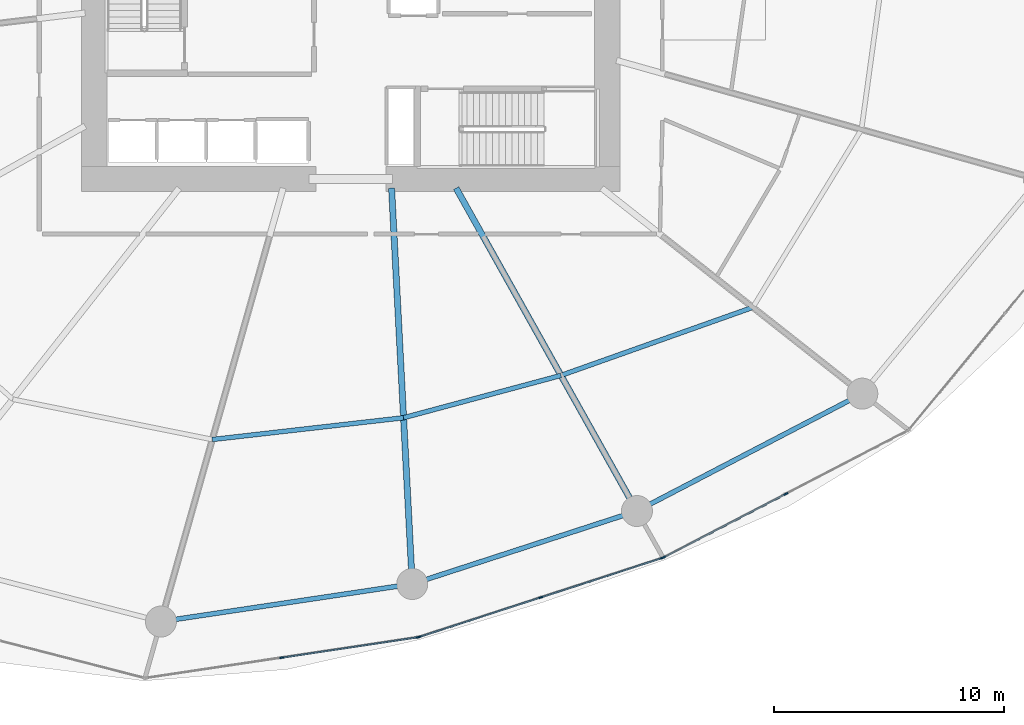
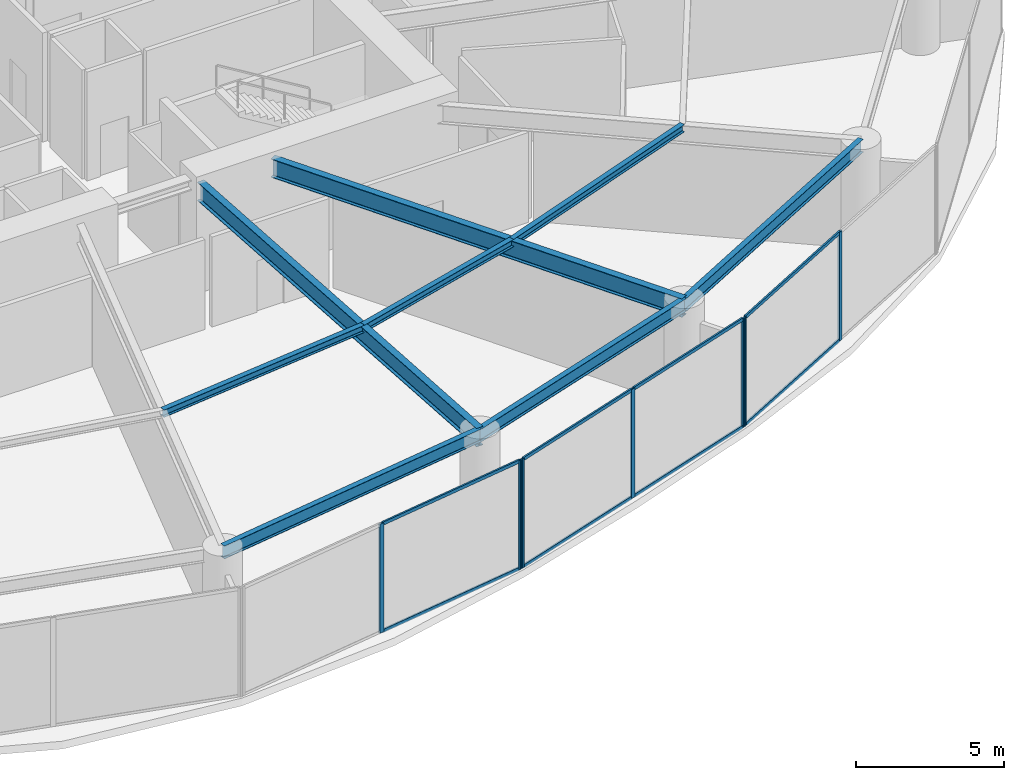
# One storey, part 9 of 22: 15 members, 8 beams, 3 elements without a shape of their own.
"""IFC4 building model written with IfcOpenShell, lengths in metres."""

from ifc_helpers import new_model, si_unit, direction, frame, origin, origin_2d, place, context, subcontext, project, spatial, rectangle, i_section, extrude, material, layer, layer_set, material_profile, profile_set, type_object, element, aggregate, save


model = new_model("IFC4")

# Units and contexts
model_context = context("Model", 3, precision=1e-05, world=origin(), true_north=direction((0.0, 1.0)))
body_context = subcontext(model_context, "Body", "Model", "MODEL_VIEW")
ifc_project = project(units=[si_unit("LENGTHUNIT", "METRE"), si_unit("AREAUNIT", "SQUARE_METRE"), si_unit("VOLUMEUNIT", "CUBIC_METRE"), si_unit("PLANEANGLEUNIT", "RADIAN"), si_unit("MASSUNIT", "GRAM", prefix="KILO")], contexts=[model_context])

# Site, building, storey
site_placement = place(None, origin())
site = spatial("IfcSite", under=ifc_project, at=site_placement, CompositionType="ELEMENT")
building_placement = place(site_placement, origin())
building = spatial("IfcBuilding", under=site, at=building_placement, Name="Kazma Halo Residences", CompositionType="ELEMENT")
storey_placement = place(building_placement, frame((0.0, 0.0, 12.0)))
storey = spatial("IfcBuildingStorey", under=building, at=storey_placement, Name="L02", CompositionType="ELEMENT", Elevation=12.0)

# Beams
ifc_material_1 = material(Name="Steel S355", Category="steel")
ifc_material_profile_1 = material_profile(ifc_material_1, i_section(OverallWidth=0.26708984375, OverallDepth=0.761962890625, WebThickness=0.014404296875, FlangeThickness=0.021484375, FilletRadius=0.02001953125, at=origin_2d()), Name="W760x173")
ifc_profile_set_1 = profile_set([ifc_material_profile_1], Name="Steel S355")
beam_type_1 = type_object("IfcBeamType", Name="BM-POD-W760", PredefinedType="BEAM", material=ifc_profile_set_1)
beam_1_placement = place(storey_placement, frame((50.199951171875, 33.050048828125, 4.09912109375), z_axis=(0.052151471652, -0.998639186095, 0.0), x_axis=(0.998639186095, 0.052151471652, 0.0)))
element("IfcBeam", 1, at=beam_1_placement, inside=storey, type_object=beam_type_1, Name="L02 radial floor beam 12", PredefinedType="BEAM", context=body_context, shape_type="SweptSolid", body=[
    extrude(i_section(OverallWidth=0.26708984375, OverallDepth=0.761962890625, WebThickness=0.014404296875, FlangeThickness=0.021484375, FilletRadius=0.02001953125, at=origin_2d()), origin(), (0.0, 0.0, 1.0), 17.26953125),
])
beam_2_placement = place(storey_placement, frame((53.01220703125, 33.050048828125, 4.09912109375), z_axis=(0.488623198121, -0.872494911308, 0.0), x_axis=(0.872494911308, 0.488623198121, 0.0)))
element("IfcBeam", 2, at=beam_2_placement, inside=storey, type_object=beam_type_1, Name="L02 radial floor beam 13", PredefinedType="BEAM", context=body_context, shape_type="SweptSolid", body=[
    extrude(i_section(OverallWidth=0.26708984375, OverallDepth=0.761962890625, WebThickness=0.014404296875, FlangeThickness=0.021484375, FilletRadius=0.02001953125, at=origin_2d()), origin(), (0.0, 0.0, 1.0), 16.12109375),
])
ifc_material_profile_2 = material_profile(ifc_material_1, i_section(OverallWidth=0.202880859375, OverallDepth=0.302978515625, WebThickness=0.007568359375, FlangeThickness=0.01318359375, FilletRadius=0.013916015625, at=origin_2d()), Name="W310x60")
ifc_profile_set_2 = profile_set([ifc_material_profile_2], Name="Steel S355")
beam_type_2 = type_object("IfcBeamType", Name="BM-SEC-W310A", PredefinedType="JOIST", material=ifc_profile_set_2)
beam_3_placement = place(storey_placement, frame((42.38720703125, 22.098876953125, 4.32861328125), z_axis=(0.993587805197, 0.113063138842, 0.0), x_axis=(-0.113063138842, 0.993587805197, 0.0)))
element("IfcBeam", 3, at=beam_3_placement, inside=storey, type_object=beam_type_2, Name="L02 circumferential floor joist 11", PredefinedType="JOIST", context=body_context, shape_type="SweptSolid", body=[
    extrude(i_section(OverallWidth=0.202880859375, OverallDepth=0.302978515625, WebThickness=0.007568359375, FlangeThickness=0.01318359375, FilletRadius=0.013916015625, at=origin_2d()), origin(), (0.0, 0.0, 1.0), 8.388916015625),
])
beam_4_placement = place(storey_placement, frame((50.722412109375, 23.04736328125, 4.32861328125), z_axis=(0.965678128269, 0.259741703588, 0.0), x_axis=(-0.259741703588, 0.965678128269, 0.0)))
element("IfcBeam", 4, at=beam_4_placement, inside=storey, type_object=beam_type_2, Name="L02 circumferential floor joist 12", PredefinedType="JOIST", context=body_context, shape_type="SweptSolid", body=[
    extrude(i_section(OverallWidth=0.202880859375, OverallDepth=0.302978515625, WebThickness=0.007568359375, FlangeThickness=0.01318359375, FilletRadius=0.013916015625, at=origin_2d()), origin(), (0.0, 0.0, 1.0), 7.10205078125),
])
beam_5_placement = place(storey_placement, frame((57.580810546875, 24.89208984375, 4.32861328125), z_axis=(0.942441737122, 0.334370411567, 0.0), x_axis=(-0.334370411567, 0.942441737122, 0.0)))
element("IfcBeam", 5, at=beam_5_placement, inside=storey, type_object=beam_type_2, Name="L02 circumferential floor joist 13", PredefinedType="JOIST", context=body_context, shape_type="SweptSolid", body=[
    extrude(i_section(OverallWidth=0.202880859375, OverallDepth=0.302978515625, WebThickness=0.007568359375, FlangeThickness=0.01318359375, FilletRadius=0.013916015625, at=origin_2d()), origin(), (0.0, 0.0, 1.0), 8.869140625),
])
ifc_material_profile_3 = material_profile(ifc_material_1, i_section(OverallWidth=0.208984375, OverallDepth=0.532958984375, WebThickness=0.01025390625, FlangeThickness=0.015625, FilletRadius=0.01611328125, at=origin_2d()), Name="W530x92")
ifc_profile_set_3 = profile_set([ifc_material_profile_3], Name="Steel S355")
beam_type_3 = type_object("IfcBeamType", Name="BM-SPN-W530", PredefinedType="BEAM", material=ifc_profile_set_3)
beam_6_placement = place(storey_placement, frame((40.15087890625, 14.168701171875, 4.21337890625), z_axis=(0.989031581018, 0.14770420356, 0.0), x_axis=(-0.14770420356, 0.989031581018, 0.0)))
element("IfcBeam", 6, at=beam_6_placement, inside=storey, type_object=beam_type_3, Name="L02 perimeter ring beam 11", PredefinedType="BEAM", context=body_context, shape_type="SweptSolid", body=[
    extrude(i_section(OverallWidth=0.208984375, OverallDepth=0.532958984375, WebThickness=0.01025390625, FlangeThickness=0.015625, FilletRadius=0.01611328125, at=origin_2d()), origin(), (0.0, 0.0, 1.0), 11.071044921875),
])
beam_7_placement = place(storey_placement, frame((51.1005859375, 15.803955078125, 4.21337890625), z_axis=(0.951061083857, 0.309002936511, 0.0), x_axis=(-0.309002936511, 0.951061083857, 0.0)))
element("IfcBeam", 7, at=beam_7_placement, inside=storey, type_object=beam_type_3, Name="L02 perimeter ring beam 12", PredefinedType="BEAM", context=body_context, shape_type="SweptSolid", body=[
    extrude(i_section(OverallWidth=0.208984375, OverallDepth=0.532958984375, WebThickness=0.01025390625, FlangeThickness=0.015625, FilletRadius=0.01611328125, at=origin_2d()), origin(), (0.0, 0.0, 1.0), 10.29248046875),
])
beam_8_placement = place(storey_placement, frame((60.889404296875, 18.984375, 4.21337890625), z_axis=(0.886954171981, 0.461857442082, 0.0), x_axis=(-0.461857442082, 0.886954171981, 0.0)))
element("IfcBeam", 8, at=beam_8_placement, inside=storey, type_object=beam_type_3, Name="L02 perimeter ring beam 13", PredefinedType="BEAM", context=body_context, shape_type="SweptSolid", body=[
    extrude(i_section(OverallWidth=0.208984375, OverallDepth=0.532958984375, WebThickness=0.01025390625, FlangeThickness=0.015625, FilletRadius=0.01611328125, at=origin_2d()), origin(), (0.0, 0.0, 1.0), 11.071044921875),
])

# Curtain wall, members
ifc_material_2 = material(Name="Aluminium AW-6063 T6 and Triple-Silver Low-E Glass", Category="aluminium")
ifc_layer = layer(ifc_material_2, 0.179931640625)
ifc_layer_set = layer_set([ifc_layer], Name="Aluminium AW-6063 T6 and Triple-Silver Low-E Glass")
curtain_wall_type = type_object("IfcCurtainWallType", Name="CW-SYS-1", PredefinedType="NOTDEFINED", material=ifc_layer_set)
curtain_wall_1_placement = place(storey_placement, origin())
curtain_wall_1 = element("IfcCurtainWall", 9, at=curtain_wall_1_placement, inside=storey, type_object=curtain_wall_type, Name="L02 unitised curtain wall B11", PredefinedType="NOTDEFINED")
ifc_material_3 = material(Name="Aluminium AW-6063 T6", Category="aluminium")
ifc_material_profile_4 = material_profile(ifc_material_3, rectangle(XDim=0.06494140625, YDim=0.179931640625, at=origin_2d()), Name="CWM-65x180")
ifc_profile_set_4 = profile_set([ifc_material_profile_4], Name="Aluminium AW-6063 T6")
member_type_1 = type_object("IfcMemberType", Name="CW-SYS-1-MUL", PredefinedType="MULLION", material=ifc_profile_set_4)
member_1_placement = place(storey_placement, frame((45.414306640625, 12.59423828125, 0.0), z_axis=(0.0, 0.0, 1.0), x_axis=(-0.148548966342, 0.988905053379, 0.0)))
member_1 = element("IfcMember", 10, at=member_1_placement, type_object=member_type_1, Name="CWS-1 mullion 2", PredefinedType="MULLION", context=body_context, shape_type="SweptSolid", body=[
    extrude(rectangle(XDim=0.06494140625, YDim=0.179931640625, at=origin_2d()), origin(), (0.0, 0.0, 1.0), 4.47998046875),
])
member_2_placement = place(storey_placement, frame((51.34228515625, 13.484619140625, 0.0), z_axis=(0.0, 0.0, 1.0), x_axis=(-0.148548966342, 0.988905053379, 0.0)))
member_2 = element("IfcMember", 11, at=member_2_placement, type_object=member_type_1, Name="CWS-1 mullion 3", PredefinedType="MULLION", context=body_context, shape_type="SweptSolid", body=[
    extrude(rectangle(XDim=0.06494140625, YDim=0.179931640625, at=origin_2d()), origin(), (0.0, 0.0, 1.0), 4.47998046875),
])

curtain_wall_2_placement = place(storey_placement, origin())
curtain_wall_2 = element("IfcCurtainWall", 12, at=curtain_wall_2_placement, inside=storey, type_object=curtain_wall_type, Name="L02 unitised curtain wall B12", PredefinedType="NOTDEFINED")
member_3_placement = place(storey_placement, frame((51.4052734375, 13.49951171875, 0.0), z_axis=(0.0, 0.0, 1.0), x_axis=(-0.309017239211, 0.951056436743, 0.0)))
member_3 = element("IfcMember", 13, at=member_3_placement, type_object=member_type_1, Name="CWS-1 mullion 1", PredefinedType="MULLION", context=body_context, shape_type="SweptSolid", body=[
    extrude(rectangle(XDim=0.06494140625, YDim=0.179931640625, at=origin_2d()), origin(), (0.0, 0.0, 1.0), 4.47998046875),
])
member_4_placement = place(storey_placement, frame((56.701171875, 15.22021484375, 0.0), z_axis=(0.0, 0.0, 1.0), x_axis=(-0.309017239211, 0.951056436743, 0.0)))
member_4 = element("IfcMember", 14, at=member_4_placement, type_object=member_type_1, Name="CWS-1 mullion 2", PredefinedType="MULLION", context=body_context, shape_type="SweptSolid", body=[
    extrude(rectangle(XDim=0.06494140625, YDim=0.179931640625, at=origin_2d()), origin(), (0.0, 0.0, 1.0), 4.47998046875),
])
member_5_placement = place(storey_placement, frame((61.9970703125, 16.941162109375, 0.0), z_axis=(0.0, 0.0, 1.0), x_axis=(-0.309017239211, 0.951056436743, 0.0)))
member_5 = element("IfcMember", 15, at=member_5_placement, type_object=member_type_1, Name="CWS-1 mullion 3", PredefinedType="MULLION", context=body_context, shape_type="SweptSolid", body=[
    extrude(rectangle(XDim=0.06494140625, YDim=0.179931640625, at=origin_2d()), origin(), (0.0, 0.0, 1.0), 4.47998046875),
])

curtain_wall_3_placement = place(storey_placement, origin())
curtain_wall_3 = element("IfcCurtainWall", 16, at=curtain_wall_3_placement, inside=storey, type_object=curtain_wall_type, Name="L02 unitised curtain wall B13", PredefinedType="NOTDEFINED")
member_6_placement = place(storey_placement, frame((62.056884765625, 16.966064453125, 0.0), z_axis=(0.0, 0.0, 1.0), x_axis=(-0.46108680311, 0.887355036047, 0.0)))
member_6 = element("IfcMember", 17, at=member_6_placement, type_object=member_type_1, Name="CWS-1 mullion 1", PredefinedType="MULLION", context=body_context, shape_type="SweptSolid", body=[
    extrude(rectangle(XDim=0.06494140625, YDim=0.179931640625, at=origin_2d()), origin(), (0.0, 0.0, 1.0), 4.47998046875),
])
member_7_placement = place(storey_placement, frame((67.376220703125, 19.72998046875, 0.0), z_axis=(0.0, 0.0, 1.0), x_axis=(-0.46108680311, 0.887355036047, 0.0)))
member_7 = element("IfcMember", 18, at=member_7_placement, type_object=member_type_1, Name="CWS-1 mullion 2", PredefinedType="MULLION", context=body_context, shape_type="SweptSolid", body=[
    extrude(rectangle(XDim=0.06494140625, YDim=0.179931640625, at=origin_2d()), origin(), (0.0, 0.0, 1.0), 4.47998046875),
])

# Member
ifc_material_profile_5 = material_profile(ifc_material_3, rectangle(XDim=0.06494140625, YDim=0.135009765625, at=origin_2d()), Name="CWT-65x135")
ifc_profile_set_5 = profile_set([ifc_material_profile_5], Name="Aluminium AW-6063 T6")
member_type_2 = type_object("IfcMemberType", Name="CW-SYS-1-TRN", PredefinedType="USERDEFINED", material=ifc_profile_set_5)
member_8_placement = place(storey_placement, frame((45.446533203125, 12.59912109375, 0.032470703125), z_axis=(0.988909456852, 0.148519649035, 0.0), x_axis=(-0.148519649035, 0.988909456852, 0.0)))
member_8 = element("IfcMember", 19, at=member_8_placement, type_object=member_type_2, Name="CWS-1 transom 2.1", ObjectType="TRANSOM", PredefinedType="USERDEFINED", context=body_context, shape_type="SweptSolid", body=[
    extrude(rectangle(XDim=0.06494140625, YDim=0.135009765625, at=origin_2d()), origin(), (0.0, 0.0, 1.0), 5.92919921875),
])

member_9_placement = place(storey_placement, frame((45.446533203125, 12.59912109375, 4.447509765625), z_axis=(0.988909456852, 0.148519649035, 0.0), x_axis=(-0.148519649035, 0.988909456852, 0.0)))
member_9 = element("IfcMember", 20, at=member_9_placement, type_object=member_type_2, Name="CWS-1 transom 2.2", ObjectType="TRANSOM", PredefinedType="USERDEFINED", context=body_context, shape_type="SweptSolid", body=[
    extrude(rectangle(XDim=0.06494140625, YDim=0.135009765625, at=origin_2d()), origin(), (0.0, 0.0, 1.0), 5.92919921875),
])

aggregate(curtain_wall_1, [member_1, member_2, member_8, member_9])

member_10_placement = place(storey_placement, frame((51.436279296875, 13.509521484375, 0.032470703125), z_axis=(0.951055908328, 0.309018865498, 0.0), x_axis=(-0.309018865498, 0.951055908328, 0.0)))
member_10 = element("IfcMember", 21, at=member_10_placement, type_object=member_type_2, Name="CWS-1 transom 1.1", ObjectType="TRANSOM", PredefinedType="USERDEFINED", context=body_context, shape_type="SweptSolid", body=[
    extrude(rectangle(XDim=0.06494140625, YDim=0.135009765625, at=origin_2d()), origin(), (0.0, 0.0, 1.0), 5.50341796875),
])

member_11_placement = place(storey_placement, frame((51.436279296875, 13.509521484375, 4.447509765625), z_axis=(0.951055908328, 0.309018865498, 0.0), x_axis=(-0.309018865498, 0.951055908328, 0.0)))
member_11 = element("IfcMember", 22, at=member_11_placement, type_object=member_type_2, Name="CWS-1 transom 1.2", ObjectType="TRANSOM", PredefinedType="USERDEFINED", context=body_context, shape_type="SweptSolid", body=[
    extrude(rectangle(XDim=0.06494140625, YDim=0.135009765625, at=origin_2d()), origin(), (0.0, 0.0, 1.0), 5.50341796875),
])

member_12_placement = place(storey_placement, frame((56.732177734375, 15.230224609375, 0.032470703125), z_axis=(0.951055908328, 0.309018865498, 0.0), x_axis=(-0.309018865498, 0.951055908328, 0.0)))
member_12 = element("IfcMember", 23, at=member_12_placement, type_object=member_type_2, Name="CWS-1 transom 2.1", ObjectType="TRANSOM", PredefinedType="USERDEFINED", context=body_context, shape_type="SweptSolid", body=[
    extrude(rectangle(XDim=0.06494140625, YDim=0.135009765625, at=origin_2d()), origin(), (0.0, 0.0, 1.0), 5.50341796875),
])

member_13_placement = place(storey_placement, frame((56.732177734375, 15.230224609375, 4.447509765625), z_axis=(0.951055908328, 0.309018865498, 0.0), x_axis=(-0.309018865498, 0.951055908328, 0.0)))
member_13 = element("IfcMember", 24, at=member_13_placement, type_object=member_type_2, Name="CWS-1 transom 2.2", ObjectType="TRANSOM", PredefinedType="USERDEFINED", context=body_context, shape_type="SweptSolid", body=[
    extrude(rectangle(XDim=0.06494140625, YDim=0.135009765625, at=origin_2d()), origin(), (0.0, 0.0, 1.0), 5.50341796875),
])

aggregate(curtain_wall_2, [member_3, member_4, member_5, member_10, member_11, member_12, member_13])

member_14_placement = place(storey_placement, frame((62.085693359375, 16.98095703125, 0.032470703125), z_axis=(0.887352259256, 0.461092146966, 0.0), x_axis=(-0.461092146966, 0.887352259256, 0.0)))
member_14 = element("IfcMember", 25, at=member_14_placement, type_object=member_type_2, Name="CWS-1 transom 1.1", ObjectType="TRANSOM", PredefinedType="USERDEFINED", context=body_context, shape_type="SweptSolid", body=[
    extrude(rectangle(XDim=0.06494140625, YDim=0.135009765625, at=origin_2d()), origin(), (0.0, 0.0, 1.0), 5.9296875),
])

member_15_placement = place(storey_placement, frame((62.085693359375, 16.98095703125, 4.447509765625), z_axis=(0.887352259256, 0.461092146966, 0.0), x_axis=(-0.461092146966, 0.887352259256, 0.0)))
member_15 = element("IfcMember", 26, at=member_15_placement, type_object=member_type_2, Name="CWS-1 transom 1.2", ObjectType="TRANSOM", PredefinedType="USERDEFINED", context=body_context, shape_type="SweptSolid", body=[
    extrude(rectangle(XDim=0.06494140625, YDim=0.135009765625, at=origin_2d()), origin(), (0.0, 0.0, 1.0), 5.9296875),
])

aggregate(curtain_wall_3, [member_6, member_7, member_14, member_15])

save(model, "model.ifc")
